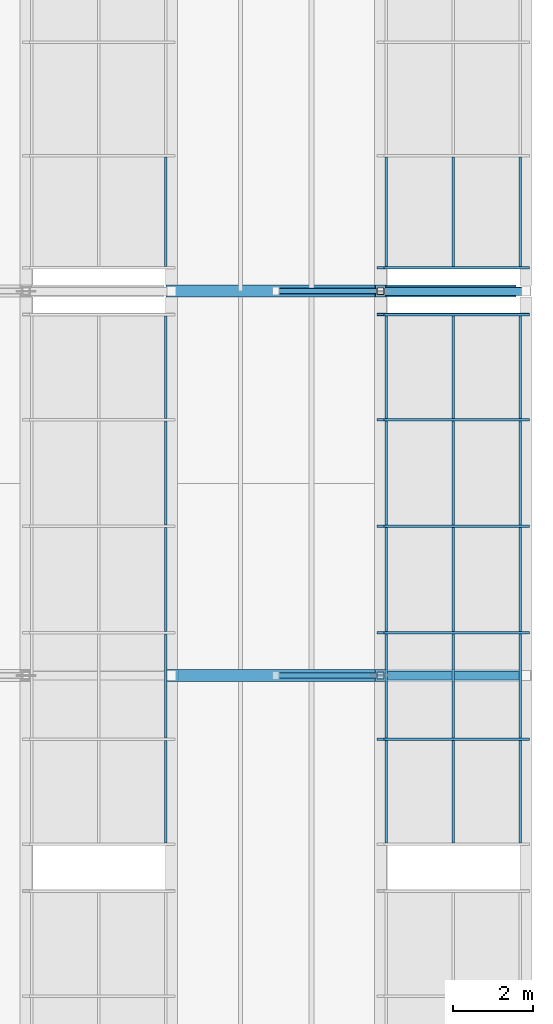
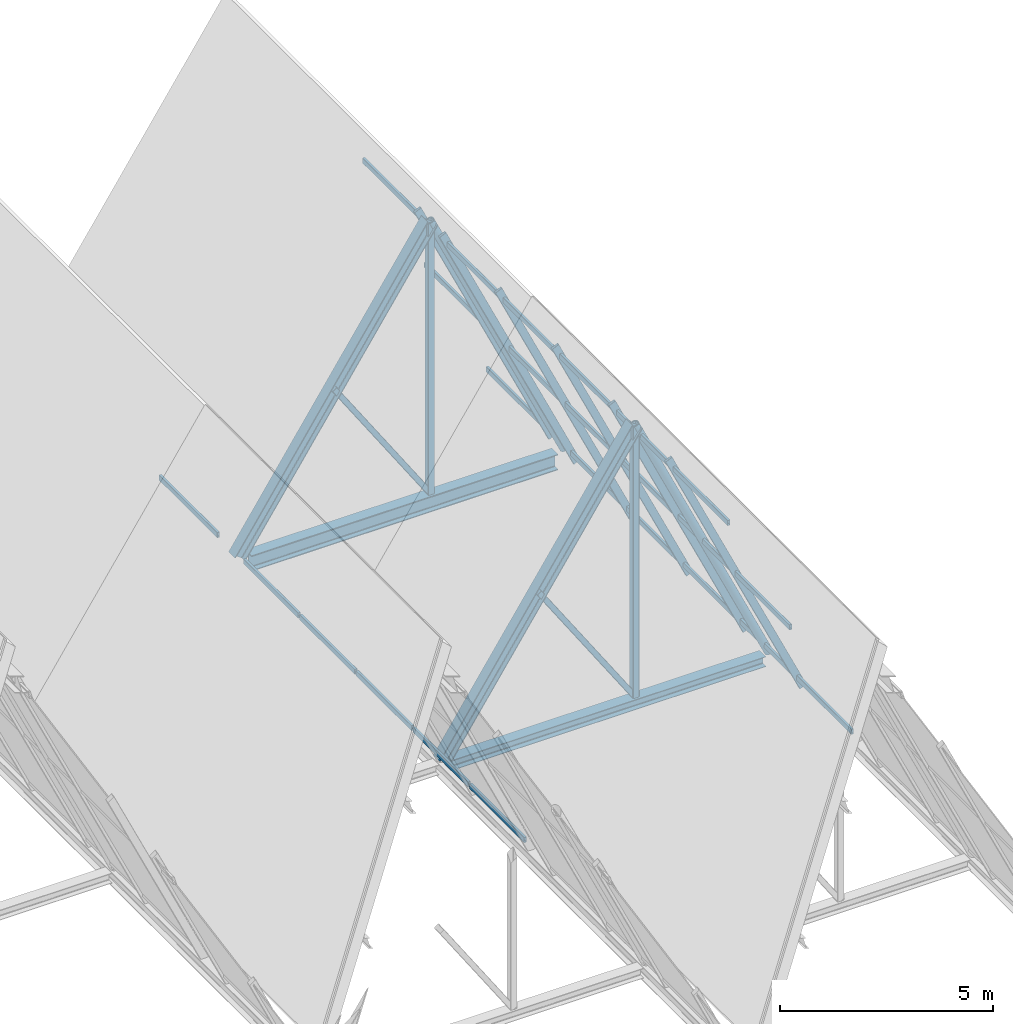
# One storey, part 57 of 99: 39 members, 1 beam, 4 elements without a shape of their own.
"""IFC4 building model written with IfcOpenShell, lengths in metres."""

from ifc_helpers import new_model, si_unit, direction, frame, origin, origin_2d, place, context, subcontext, project, spatial, hollow_rectangle, hollow_circle, i_section, extrude, material, material_profile, profile_set, type_object, element, aggregate, save


model = new_model("IFC4")

# Units and contexts
model_context = context("Model", 3, precision=1e-05, world=origin(), true_north=direction((0.0, 1.0)))
body_context = subcontext(model_context, "Body", "Model", "MODEL_VIEW")
ifc_project = project(units=[si_unit("LENGTHUNIT", "METRE"), si_unit("AREAUNIT", "SQUARE_METRE"), si_unit("VOLUMEUNIT", "CUBIC_METRE"), si_unit("PLANEANGLEUNIT", "RADIAN"), si_unit("MASSUNIT", "GRAM", prefix="KILO")], contexts=[model_context])

# Site, building, storey
site_placement = place(None, origin())
site = spatial("IfcSite", under=ifc_project, at=site_placement, CompositionType="ELEMENT")
building_placement = place(site_placement, origin())
building = spatial("IfcBuilding", under=site, at=building_placement, Name="Bramveld Media Centre", CompositionType="ELEMENT")
storey_placement = place(building_placement, frame((0.0, 0.0, 13.800048828125)))
storey = spatial("IfcBuildingStorey", under=building, at=storey_placement, Name="L03", CompositionType="ELEMENT", Elevation=13.800048828125)

# Curtain wall, members
ifc_material_1 = material(Name="Thermally broken anodized bronze aluminium unitized curtain wall with solar-control triple glazing", Category="aluminium")
curtain_wall_type_1 = type_object("IfcCurtainWallType", Name="CW-SAW-13300x8606", PredefinedType="NOTDEFINED", material=ifc_material_1)
curtain_wall_1_placement = place(storey_placement, origin())
curtain_wall_1 = element("IfcCurtainWall", 1, at=curtain_wall_1_placement, inside=storey, type_object=curtain_wall_type_1, Name="V1 sawtooth north-light clerestory B7-S2", PredefinedType="NOTDEFINED")
ifc_material_2 = material(Name="Thermally broken anodized bronze aluminium EN AW-6063 T6 curtain-wall framing", Category="aluminium")
ifc_material_profile_1 = material_profile(ifc_material_2, hollow_rectangle(XDim=0.070068359375, YDim=0.199951171875, WallThickness=0.00439453125, InnerFilletRadius=0.00439453125, OuterFilletRadius=0.009033203125, at=origin_2d()), Name="AL-MULL 70x200")
ifc_profile_set_1 = profile_set([ifc_material_profile_1], Name="Thermally broken anodized bronze aluminium EN AW-6063 T6 curtain-wall framing")
member_type_1 = type_object("IfcMemberType", Name="CW-MULL-SLP", PredefinedType="MULLION", material=ifc_profile_set_1)
member_1_placement = place(storey_placement, frame((186.0, 17.610107421875, -0.02001953125), z_axis=(-0.423956992265, 0.0, 0.90568232218), x_axis=(0.0, -1.0, 0.0)))
member_1 = element("IfcMember", 2, at=member_1_placement, type_object=member_type_1, Name="CW-SA-13386 sloped mullion 2", PredefinedType="MULLION", context=body_context, shape_type="SweptSolid", body=[
    extrude(hollow_rectangle(XDim=0.070068359375, YDim=0.199951171875, WallThickness=0.00439453125, InnerFilletRadius=0.00439453125, OuterFilletRadius=0.009033203125, at=origin_2d()), origin(), (0.0, 0.0, 1.0), 8.5791015625),
])
member_2_placement = place(storey_placement, frame((186.0, 20.27001953125, -0.02001953125), z_axis=(-0.423956992265, 0.0, 0.90568232218), x_axis=(0.0, -1.0, 0.0)))
member_2 = element("IfcMember", 3, at=member_2_placement, type_object=member_type_1, Name="CW-SA-13386 sloped mullion 3", PredefinedType="MULLION", context=body_context, shape_type="SweptSolid", body=[
    extrude(hollow_rectangle(XDim=0.070068359375, YDim=0.199951171875, WallThickness=0.00439453125, InnerFilletRadius=0.00439453125, OuterFilletRadius=0.009033203125, at=origin_2d()), origin(), (0.0, 0.0, 1.0), 8.5791015625),
])
member_3_placement = place(storey_placement, frame((186.0, 22.929931640625, -0.02001953125), z_axis=(-0.423956992265, 0.0, 0.90568232218), x_axis=(0.0, -1.0, 0.0)))
member_3 = element("IfcMember", 4, at=member_3_placement, type_object=member_type_1, Name="CW-SA-13386 sloped mullion 4", PredefinedType="MULLION", context=body_context, shape_type="SweptSolid", body=[
    extrude(hollow_rectangle(XDim=0.070068359375, YDim=0.199951171875, WallThickness=0.00439453125, InnerFilletRadius=0.00439453125, OuterFilletRadius=0.009033203125, at=origin_2d()), origin(), (0.0, 0.0, 1.0), 8.5791015625),
])
member_4_placement = place(storey_placement, frame((186.0, 25.590087890625, -0.02001953125), z_axis=(-0.423956992265, 0.0, 0.90568232218), x_axis=(0.0, -1.0, 0.0)))
member_4 = element("IfcMember", 5, at=member_4_placement, type_object=member_type_1, Name="CW-SA-13386 sloped mullion 5", PredefinedType="MULLION", context=body_context, shape_type="SweptSolid", body=[
    extrude(hollow_rectangle(XDim=0.070068359375, YDim=0.199951171875, WallThickness=0.00439453125, InnerFilletRadius=0.00439453125, OuterFilletRadius=0.009033203125, at=origin_2d()), origin(), (0.0, 0.0, 1.0), 8.5791015625),
])
member_5_placement = place(storey_placement, frame((186.0, 28.215087890625, -0.02001953125), z_axis=(-0.423956992265, 0.0, 0.90568232218), x_axis=(0.0, -1.0, 0.0)))
member_5 = element("IfcMember", 6, at=member_5_placement, type_object=member_type_1, Name="CW-SA-13386 sloped mullion 6", PredefinedType="MULLION", context=body_context, shape_type="SweptSolid", body=[
    extrude(hollow_rectangle(XDim=0.070068359375, YDim=0.199951171875, WallThickness=0.00439453125, InnerFilletRadius=0.00439453125, OuterFilletRadius=0.009033203125, at=origin_2d()), origin(), (0.0, 0.0, 1.0), 8.5791015625),
])

# Curtain wall, member
ifc_material_3 = material(Name="Thermally broken anodized bronze aluminium unitized curtain wall with solar-control triple glazing", Category="aluminium")
curtain_wall_type_2 = type_object("IfcCurtainWallType", Name="CW-SAW-8500x8606", PredefinedType="NOTDEFINED", material=ifc_material_3)
curtain_wall_2_placement = place(storey_placement, origin())
curtain_wall_2 = element("IfcCurtainWall", 7, at=curtain_wall_2_placement, inside=storey, type_object=curtain_wall_type_2, Name="V1 sawtooth north-light clerestory B7-S3", PredefinedType="NOTDEFINED")
member_6_placement = place(storey_placement, frame((186.0, 29.385009765625, -0.02001953125), z_axis=(-0.423956992265, 0.0, 0.90568232218), x_axis=(0.0, -1.0, 0.0)))
member_6 = element("IfcMember", 8, at=member_6_placement, type_object=member_type_1, Name="CW-SA-8586 sloped mullion 1", PredefinedType="MULLION", context=body_context, shape_type="SweptSolid", body=[
    extrude(hollow_rectangle(XDim=0.070068359375, YDim=0.199951171875, WallThickness=0.00439453125, InnerFilletRadius=0.00439453125, OuterFilletRadius=0.009033203125, at=origin_2d()), origin(), (0.0, 0.0, 1.0), 8.5791015625),
])

# Curtain wall, members
curtain_wall_3_placement = place(storey_placement, origin())
curtain_wall_3 = element("IfcCurtainWall", 9, at=curtain_wall_3_placement, inside=storey, type_object=curtain_wall_type_1, Name="V1 sawtooth north-light clerestory B6-S2", PredefinedType="NOTDEFINED")
ifc_material_4 = material(Name="Thermally broken anodized bronze aluminium EN AW-6063 T6 curtain-wall framing", Category="aluminium")
ifc_material_profile_2 = material_profile(ifc_material_4, hollow_rectangle(XDim=0.070068359375, YDim=0.14990234375, WallThickness=0.00390625, InnerFilletRadius=0.00390625, OuterFilletRadius=0.008056640625, at=origin_2d()), Name="AL-TRAN 70x150")
ifc_profile_set_2 = profile_set([ifc_material_profile_2], Name="Thermally broken anodized bronze aluminium EN AW-6063 T6 curtain-wall framing")
member_type_2 = type_object("IfcMemberType", Name="CW-TRAN-SLP", PredefinedType="USERDEFINED", material=ifc_profile_set_2)
member_7_placement = place(storey_placement, frame((176.997314453125, 15.02001953125, 0.290771484375), z_axis=(0.0, 1.0, 0.0), x_axis=(-1.0, 0.0, 0.0)))
member_7 = element("IfcMember", 10, at=member_7_placement, type_object=member_type_2, Name="CW-SA-13386 transom 1.1", ObjectType="TRANSOM", PredefinedType="USERDEFINED", context=body_context, shape_type="SweptSolid", body=[
    extrude(hollow_rectangle(XDim=0.070068359375, YDim=0.14990234375, WallThickness=0.00390625, InnerFilletRadius=0.00390625, OuterFilletRadius=0.008056640625, at=origin_2d()), origin(), (0.0, 0.0, 1.0), 2.554931640625),
])
member_8_placement = place(storey_placement, frame((176.997314453125, 17.64501953125, 0.290771484375), z_axis=(0.0, 1.0, 0.0), x_axis=(-1.0, 0.0, 0.0)))
member_8 = element("IfcMember", 11, at=member_8_placement, type_object=member_type_2, Name="CW-SA-13386 transom 2.1", ObjectType="TRANSOM", PredefinedType="USERDEFINED", context=body_context, shape_type="SweptSolid", body=[
    extrude(hollow_rectangle(XDim=0.070068359375, YDim=0.14990234375, WallThickness=0.00390625, InnerFilletRadius=0.00390625, OuterFilletRadius=0.008056640625, at=origin_2d()), origin(), (0.0, 0.0, 1.0), 2.590087890625),
])
member_9_placement = place(storey_placement, frame((176.997314453125, 20.304931640625, 0.290771484375), z_axis=(0.0, 1.0, 0.0), x_axis=(-1.0, 0.0, 0.0)))
member_9 = element("IfcMember", 12, at=member_9_placement, type_object=member_type_2, Name="CW-SA-13386 transom 3.1", ObjectType="TRANSOM", PredefinedType="USERDEFINED", context=body_context, shape_type="SweptSolid", body=[
    extrude(hollow_rectangle(XDim=0.070068359375, YDim=0.14990234375, WallThickness=0.00390625, InnerFilletRadius=0.00390625, OuterFilletRadius=0.008056640625, at=origin_2d()), origin(), (0.0, 0.0, 1.0), 2.590087890625),
])
member_10_placement = place(storey_placement, frame((176.997314453125, 22.965087890625, 0.290771484375), z_axis=(0.0, 1.0, 0.0), x_axis=(-1.0, 0.0, 0.0)))
member_10 = element("IfcMember", 13, at=member_10_placement, type_object=member_type_2, Name="CW-SA-13386 transom 4.1", ObjectType="TRANSOM", PredefinedType="USERDEFINED", context=body_context, shape_type="SweptSolid", body=[
    extrude(hollow_rectangle(XDim=0.070068359375, YDim=0.14990234375, WallThickness=0.00390625, InnerFilletRadius=0.00390625, OuterFilletRadius=0.008056640625, at=origin_2d()), origin(), (0.0, 0.0, 1.0), 2.58984375),
])
member_11_placement = place(storey_placement, frame((176.997314453125, 25.625, 0.290771484375), z_axis=(0.0, 1.0, 0.0), x_axis=(-1.0, 0.0, 0.0)))
member_11 = element("IfcMember", 14, at=member_11_placement, type_object=member_type_2, Name="CW-SA-13386 transom 5.1", ObjectType="TRANSOM", PredefinedType="USERDEFINED", context=body_context, shape_type="SweptSolid", body=[
    extrude(hollow_rectangle(XDim=0.070068359375, YDim=0.14990234375, WallThickness=0.00390625, InnerFilletRadius=0.00390625, OuterFilletRadius=0.008056640625, at=origin_2d()), origin(), (0.0, 0.0, 1.0), 2.554931640625),
])
aggregate(curtain_wall_3, [member_7, member_8, member_9, member_10, member_11])

# Curtain wall, member
curtain_wall_4_placement = place(storey_placement, origin())
curtain_wall_4 = element("IfcCurtainWall", 15, at=curtain_wall_4_placement, inside=storey, type_object=curtain_wall_type_2, Name="V1 sawtooth north-light clerestory B6-S3", PredefinedType="NOTDEFINED")
member_12_placement = place(storey_placement, frame((176.997314453125, 29.419921875, 0.290771484375), z_axis=(0.0, 1.0, 0.0), x_axis=(-1.0, 0.0, 0.0)))
member_12 = element("IfcMember", 16, at=member_12_placement, type_object=member_type_2, Name="CW-SA-8586 transom 1.1", ObjectType="TRANSOM", PredefinedType="USERDEFINED", context=body_context, shape_type="SweptSolid", body=[
    extrude(hollow_rectangle(XDim=0.070068359375, YDim=0.14990234375, WallThickness=0.00390625, InnerFilletRadius=0.00390625, OuterFilletRadius=0.008056640625, at=origin_2d()), origin(), (0.0, 0.0, 1.0), 2.728271484375),
])
aggregate(curtain_wall_4, [member_12])

# Member
member_13_placement = place(storey_placement, frame((185.8544921875, 15.02001953125, 0.290771484375), z_axis=(0.0, 1.0, 0.0), x_axis=(-1.0, 0.0, 0.0)))
member_13 = element("IfcMember", 17, at=member_13_placement, type_object=member_type_2, Name="CW-SA-13386 transom 1.1", ObjectType="TRANSOM", PredefinedType="USERDEFINED", context=body_context, shape_type="SweptSolid", body=[
    extrude(hollow_rectangle(XDim=0.070068359375, YDim=0.14990234375, WallThickness=0.00390625, InnerFilletRadius=0.00390625, OuterFilletRadius=0.008056640625, at=origin_2d()), origin(), (0.0, 0.0, 1.0), 2.554931640625),
])

member_14_placement = place(storey_placement, frame((184.181396484375, 15.02001953125, 3.864990234375), z_axis=(0.0, 1.0, 0.0), x_axis=(-1.0, 0.0, 0.0)))
member_14 = element("IfcMember", 18, at=member_14_placement, type_object=member_type_2, Name="CW-SA-13386 transom 1.2", ObjectType="TRANSOM", PredefinedType="USERDEFINED", context=body_context, shape_type="SweptSolid", body=[
    extrude(hollow_rectangle(XDim=0.070068359375, YDim=0.14990234375, WallThickness=0.00390625, InnerFilletRadius=0.00390625, OuterFilletRadius=0.008056640625, at=origin_2d()), origin(), (0.0, 0.0, 1.0), 2.554931640625),
])

member_15_placement = place(storey_placement, frame((182.50830078125, 15.02001953125, 7.439208984375), z_axis=(0.0, 1.0, 0.0), x_axis=(-1.0, 0.0, 0.0)))
member_15 = element("IfcMember", 19, at=member_15_placement, type_object=member_type_2, Name="CW-SA-13386 transom 1.3", ObjectType="TRANSOM", PredefinedType="USERDEFINED", context=body_context, shape_type="SweptSolid", body=[
    extrude(hollow_rectangle(XDim=0.070068359375, YDim=0.14990234375, WallThickness=0.00390625, InnerFilletRadius=0.00390625, OuterFilletRadius=0.008056640625, at=origin_2d()), origin(), (0.0, 0.0, 1.0), 2.554931640625),
])

member_16_placement = place(storey_placement, frame((185.8544921875, 17.64501953125, 0.290771484375), z_axis=(0.0, 1.0, 0.0), x_axis=(-1.0, 0.0, 0.0)))
member_16 = element("IfcMember", 20, at=member_16_placement, type_object=member_type_2, Name="CW-SA-13386 transom 2.1", ObjectType="TRANSOM", PredefinedType="USERDEFINED", context=body_context, shape_type="SweptSolid", body=[
    extrude(hollow_rectangle(XDim=0.070068359375, YDim=0.14990234375, WallThickness=0.00390625, InnerFilletRadius=0.00390625, OuterFilletRadius=0.008056640625, at=origin_2d()), origin(), (0.0, 0.0, 1.0), 2.590087890625),
])

member_17_placement = place(storey_placement, frame((184.181396484375, 17.64501953125, 3.864990234375), z_axis=(0.0, 1.0, 0.0), x_axis=(-1.0, 0.0, 0.0)))
member_17 = element("IfcMember", 21, at=member_17_placement, type_object=member_type_2, Name="CW-SA-13386 transom 2.2", ObjectType="TRANSOM", PredefinedType="USERDEFINED", context=body_context, shape_type="SweptSolid", body=[
    extrude(hollow_rectangle(XDim=0.070068359375, YDim=0.14990234375, WallThickness=0.00390625, InnerFilletRadius=0.00390625, OuterFilletRadius=0.008056640625, at=origin_2d()), origin(), (0.0, 0.0, 1.0), 2.590087890625),
])

member_18_placement = place(storey_placement, frame((182.50830078125, 17.64501953125, 7.439208984375), z_axis=(0.0, 1.0, 0.0), x_axis=(-1.0, 0.0, 0.0)))
member_18 = element("IfcMember", 22, at=member_18_placement, type_object=member_type_2, Name="CW-SA-13386 transom 2.3", ObjectType="TRANSOM", PredefinedType="USERDEFINED", context=body_context, shape_type="SweptSolid", body=[
    extrude(hollow_rectangle(XDim=0.070068359375, YDim=0.14990234375, WallThickness=0.00390625, InnerFilletRadius=0.00390625, OuterFilletRadius=0.008056640625, at=origin_2d()), origin(), (0.0, 0.0, 1.0), 2.590087890625),
])

member_19_placement = place(storey_placement, frame((185.8544921875, 20.304931640625, 0.290771484375), z_axis=(0.0, 1.0, 0.0), x_axis=(-1.0, 0.0, 0.0)))
member_19 = element("IfcMember", 23, at=member_19_placement, type_object=member_type_2, Name="CW-SA-13386 transom 3.1", ObjectType="TRANSOM", PredefinedType="USERDEFINED", context=body_context, shape_type="SweptSolid", body=[
    extrude(hollow_rectangle(XDim=0.070068359375, YDim=0.14990234375, WallThickness=0.00390625, InnerFilletRadius=0.00390625, OuterFilletRadius=0.008056640625, at=origin_2d()), origin(), (0.0, 0.0, 1.0), 2.590087890625),
])

member_20_placement = place(storey_placement, frame((184.181396484375, 20.304931640625, 3.864990234375), z_axis=(0.0, 1.0, 0.0), x_axis=(-1.0, 0.0, 0.0)))
member_20 = element("IfcMember", 24, at=member_20_placement, type_object=member_type_2, Name="CW-SA-13386 transom 3.2", ObjectType="TRANSOM", PredefinedType="USERDEFINED", context=body_context, shape_type="SweptSolid", body=[
    extrude(hollow_rectangle(XDim=0.070068359375, YDim=0.14990234375, WallThickness=0.00390625, InnerFilletRadius=0.00390625, OuterFilletRadius=0.008056640625, at=origin_2d()), origin(), (0.0, 0.0, 1.0), 2.590087890625),
])

member_21_placement = place(storey_placement, frame((182.50830078125, 20.304931640625, 7.439208984375), z_axis=(0.0, 1.0, 0.0), x_axis=(-1.0, 0.0, 0.0)))
member_21 = element("IfcMember", 25, at=member_21_placement, type_object=member_type_2, Name="CW-SA-13386 transom 3.3", ObjectType="TRANSOM", PredefinedType="USERDEFINED", context=body_context, shape_type="SweptSolid", body=[
    extrude(hollow_rectangle(XDim=0.070068359375, YDim=0.14990234375, WallThickness=0.00390625, InnerFilletRadius=0.00390625, OuterFilletRadius=0.008056640625, at=origin_2d()), origin(), (0.0, 0.0, 1.0), 2.590087890625),
])

member_22_placement = place(storey_placement, frame((185.8544921875, 22.965087890625, 0.290771484375), z_axis=(0.0, 1.0, 0.0), x_axis=(-1.0, 0.0, 0.0)))
member_22 = element("IfcMember", 26, at=member_22_placement, type_object=member_type_2, Name="CW-SA-13386 transom 4.1", ObjectType="TRANSOM", PredefinedType="USERDEFINED", context=body_context, shape_type="SweptSolid", body=[
    extrude(hollow_rectangle(XDim=0.070068359375, YDim=0.14990234375, WallThickness=0.00390625, InnerFilletRadius=0.00390625, OuterFilletRadius=0.008056640625, at=origin_2d()), origin(), (0.0, 0.0, 1.0), 2.58984375),
])

member_23_placement = place(storey_placement, frame((184.181396484375, 22.965087890625, 3.864990234375), z_axis=(0.0, 1.0, 0.0), x_axis=(-1.0, 0.0, 0.0)))
member_23 = element("IfcMember", 27, at=member_23_placement, type_object=member_type_2, Name="CW-SA-13386 transom 4.2", ObjectType="TRANSOM", PredefinedType="USERDEFINED", context=body_context, shape_type="SweptSolid", body=[
    extrude(hollow_rectangle(XDim=0.070068359375, YDim=0.14990234375, WallThickness=0.00390625, InnerFilletRadius=0.00390625, OuterFilletRadius=0.008056640625, at=origin_2d()), origin(), (0.0, 0.0, 1.0), 2.58984375),
])

member_24_placement = place(storey_placement, frame((182.50830078125, 22.965087890625, 7.439208984375), z_axis=(0.0, 1.0, 0.0), x_axis=(-1.0, 0.0, 0.0)))
member_24 = element("IfcMember", 28, at=member_24_placement, type_object=member_type_2, Name="CW-SA-13386 transom 4.3", ObjectType="TRANSOM", PredefinedType="USERDEFINED", context=body_context, shape_type="SweptSolid", body=[
    extrude(hollow_rectangle(XDim=0.070068359375, YDim=0.14990234375, WallThickness=0.00390625, InnerFilletRadius=0.00390625, OuterFilletRadius=0.008056640625, at=origin_2d()), origin(), (0.0, 0.0, 1.0), 2.58984375),
])

member_25_placement = place(storey_placement, frame((185.8544921875, 25.625, 0.290771484375), z_axis=(0.0, 1.0, 0.0), x_axis=(-1.0, 0.0, 0.0)))
member_25 = element("IfcMember", 29, at=member_25_placement, type_object=member_type_2, Name="CW-SA-13386 transom 5.1", ObjectType="TRANSOM", PredefinedType="USERDEFINED", context=body_context, shape_type="SweptSolid", body=[
    extrude(hollow_rectangle(XDim=0.070068359375, YDim=0.14990234375, WallThickness=0.00390625, InnerFilletRadius=0.00390625, OuterFilletRadius=0.008056640625, at=origin_2d()), origin(), (0.0, 0.0, 1.0), 2.554931640625),
])

member_26_placement = place(storey_placement, frame((184.181396484375, 25.625, 3.864990234375), z_axis=(0.0, 1.0, 0.0), x_axis=(-1.0, 0.0, 0.0)))
member_26 = element("IfcMember", 30, at=member_26_placement, type_object=member_type_2, Name="CW-SA-13386 transom 5.2", ObjectType="TRANSOM", PredefinedType="USERDEFINED", context=body_context, shape_type="SweptSolid", body=[
    extrude(hollow_rectangle(XDim=0.070068359375, YDim=0.14990234375, WallThickness=0.00390625, InnerFilletRadius=0.00390625, OuterFilletRadius=0.008056640625, at=origin_2d()), origin(), (0.0, 0.0, 1.0), 2.554931640625),
])

member_27_placement = place(storey_placement, frame((182.50830078125, 25.625, 7.439208984375), z_axis=(0.0, 1.0, 0.0), x_axis=(-1.0, 0.0, 0.0)))
member_27 = element("IfcMember", 31, at=member_27_placement, type_object=member_type_2, Name="CW-SA-13386 transom 5.3", ObjectType="TRANSOM", PredefinedType="USERDEFINED", context=body_context, shape_type="SweptSolid", body=[
    extrude(hollow_rectangle(XDim=0.070068359375, YDim=0.14990234375, WallThickness=0.00390625, InnerFilletRadius=0.00390625, OuterFilletRadius=0.008056640625, at=origin_2d()), origin(), (0.0, 0.0, 1.0), 2.554931640625),
])

aggregate(curtain_wall_1, [member_1, member_2, member_3, member_4, member_5, member_13, member_14, member_15, member_16, member_17, member_18, member_19, member_20, member_21, member_22, member_23, member_24, member_25, member_26, member_27])

member_28_placement = place(storey_placement, frame((185.8544921875, 29.419921875, 0.290771484375), z_axis=(0.0, 1.0, 0.0), x_axis=(-1.0, 0.0, 0.0)))
member_28 = element("IfcMember", 32, at=member_28_placement, type_object=member_type_2, Name="CW-SA-8586 transom 1.1", ObjectType="TRANSOM", PredefinedType="USERDEFINED", context=body_context, shape_type="SweptSolid", body=[
    extrude(hollow_rectangle(XDim=0.070068359375, YDim=0.14990234375, WallThickness=0.00390625, InnerFilletRadius=0.00390625, OuterFilletRadius=0.008056640625, at=origin_2d()), origin(), (0.0, 0.0, 1.0), 2.728271484375),
])

member_29_placement = place(storey_placement, frame((184.181396484375, 29.419921875, 3.864990234375), z_axis=(0.0, 1.0, 0.0), x_axis=(-1.0, 0.0, 0.0)))
member_29 = element("IfcMember", 33, at=member_29_placement, type_object=member_type_2, Name="CW-SA-8586 transom 1.2", ObjectType="TRANSOM", PredefinedType="USERDEFINED", context=body_context, shape_type="SweptSolid", body=[
    extrude(hollow_rectangle(XDim=0.070068359375, YDim=0.14990234375, WallThickness=0.00390625, InnerFilletRadius=0.00390625, OuterFilletRadius=0.008056640625, at=origin_2d()), origin(), (0.0, 0.0, 1.0), 2.728271484375),
])

member_30_placement = place(storey_placement, frame((182.50830078125, 29.419921875, 7.439208984375), z_axis=(0.0, 1.0, 0.0), x_axis=(-1.0, 0.0, 0.0)))
member_30 = element("IfcMember", 34, at=member_30_placement, type_object=member_type_2, Name="CW-SA-8586 transom 1.3", ObjectType="TRANSOM", PredefinedType="USERDEFINED", context=body_context, shape_type="SweptSolid", body=[
    extrude(hollow_rectangle(XDim=0.070068359375, YDim=0.14990234375, WallThickness=0.00390625, InnerFilletRadius=0.00390625, OuterFilletRadius=0.008056640625, at=origin_2d()), origin(), (0.0, 0.0, 1.0), 2.728271484375),
])

aggregate(curtain_wall_2, [member_6, member_28, member_29, member_30])

# Members
ifc_material_5 = material(Name="Steel S355J2H", Category="steel")
ifc_material_profile_3 = material_profile(ifc_material_5, hollow_circle(Radius=0.109619140625, WallThickness=0.012451171875, at=origin_2d()), Name="CHS 219.1x12.5")
ifc_profile_set_3 = profile_set([ifc_material_profile_3], Name="Steel S355J2H")
member_type_3 = type_object("IfcMemberType", Name="MEM-BRACE-CHS219", PredefinedType="BRACE", material=ifc_profile_set_3)
for number, where, z_axis, x_axis, name in (
    (35, (186.0, 19.199951171875, 0.0), (-0.422616785161, 0.0, 0.906308475575), (0.0, -1.0, 0.0), "TRUSS-V1-B07-F3 north-light strut"),
    (36, (186.0, 28.800048828125, 0.0), (-0.422616785161, 0.0, 0.906308475575), (0.0, -1.0, 0.0), "TRUSS-V1-B07-F4 north-light strut"),
):
    element("IfcMember", number, at=place(storey_placement, frame(where, z_axis=z_axis, x_axis=x_axis)), inside=storey, type_object=member_type_3, Name=name, PredefinedType="BRACE", context=body_context, shape_type="SweptSolid", body=[
        extrude(hollow_circle(Radius=0.109619140625, WallThickness=0.012451171875, at=origin_2d()), origin(), (0.0, 0.0, 1.0), 8.6064453125),
    ])
ifc_material_6 = material(Name="Steel S355J2H", Category="steel")
ifc_material_profile_4 = material_profile(ifc_material_6, hollow_rectangle(XDim=0.14990234375, YDim=0.14990234375, WallThickness=0.010009765625, InnerFilletRadius=0.010009765625, OuterFilletRadius=0.02001953125, at=origin_2d()), Name="SHS 150x150x10")
ifc_profile_set_4 = profile_set([ifc_material_profile_4], Name="Steel S355J2H")
member_type_4 = type_object("IfcMemberType", Name="MEM-BRACE-SHS150", PredefinedType="BRACE", material=ifc_profile_set_4)
for number, where, z_axis, x_axis, name in (
    (37, (182.36279296875, 19.199951171875, 0.0), (-0.556200017124, 0.0, 0.831048458847), (0.0, -1.0, 0.0), "TRUSS-V1-B07-F3 web diagonal"),
    (38, (182.36279296875, 28.800048828125, 0.0), (-0.556200017124, 0.0, 0.831048458847), (0.0, -1.0, 0.0), "TRUSS-V1-B07-F4 web diagonal"),
):
    element("IfcMember", number, at=place(storey_placement, frame(where, z_axis=z_axis, x_axis=x_axis)), inside=storey, type_object=member_type_4, Name=name, PredefinedType="BRACE", context=body_context, shape_type="SweptSolid", body=[
        extrude(hollow_rectangle(XDim=0.14990234375, YDim=0.14990234375, WallThickness=0.010009765625, InnerFilletRadius=0.010009765625, OuterFilletRadius=0.02001953125, at=origin_2d()), origin(), (0.0, 0.0, 1.0), 4.69287109375),
    ])
ifc_material_7 = material(Name="Steel S355J2", Category="steel")
ifc_material_profile_5 = material_profile(ifc_material_7, i_section(OverallWidth=0.300048828125, OverallDepth=0.2900390625, WebThickness=0.008544921875, FlangeThickness=0.013916015625, FilletRadius=0.027099609375, at=origin_2d()), Name="HEA 300")
ifc_profile_set_5 = profile_set([ifc_material_profile_5], Name="Steel S355J2")
member_type_5 = type_object("IfcMemberType", Name="MEM-CHORD-HEA300", PredefinedType="CHORD", material=ifc_profile_set_5)
member_31_placement = place(storey_placement, frame((177.302978515625, 19.199951171875, -0.14501953125), z_axis=(1.0, 0.0, 0.0), x_axis=(0.0, 1.0, 0.0)))
element("IfcMember", 39, at=member_31_placement, inside=storey, type_object=member_type_5, Name="TRUSS-V1-B07-F3 bottom tie chord", PredefinedType="CHORD", context=body_context, shape_type="SweptSolid", body=[
    extrude(i_section(OverallWidth=0.300048828125, OverallDepth=0.2900390625, WebThickness=0.008544921875, FlangeThickness=0.013916015625, FilletRadius=0.027099609375, at=origin_2d()), origin(), (0.0, 0.0, 1.0), 8.537109375),
])
ifc_material_8 = material(Name="Steel S355J2", Category="steel")
ifc_material_profile_6 = material_profile(ifc_material_8, i_section(OverallWidth=0.300048828125, OverallDepth=0.340087890625, WebThickness=0.011962890625, FlangeThickness=0.021484375, FilletRadius=0.027099609375, at=origin_2d()), Name="HEB 340")
ifc_profile_set_6 = profile_set([ifc_material_profile_6], Name="Steel S355J2")
member_type_6 = type_object("IfcMemberType", Name="MEM-CHORD-HEB340", PredefinedType="CHORD", material=ifc_profile_set_6)
for number, where, z_axis, x_axis, name in (
    (40, (177.142822265625, 19.199951171875, 0.0), (0.556170027887, 0.0, 0.831068529112), (0.0, 1.0, 0.0), "TRUSS-V1-B07-F3 top rafter chord"),
    (41, (177.142822265625, 28.800048828125, 0.0), (0.556170027887, 0.0, 0.831068529112), (0.0, 1.0, 0.0), "TRUSS-V1-B07-F4 top rafter chord"),
):
    element("IfcMember", number, at=place(storey_placement, frame(where, z_axis=z_axis, x_axis=x_axis)), inside=storey, type_object=member_type_6, Name=name, PredefinedType="CHORD", context=body_context, shape_type="SweptSolid", body=[
        extrude(i_section(OverallWidth=0.300048828125, OverallDepth=0.340087890625, WebThickness=0.011962890625, FlangeThickness=0.021484375, FilletRadius=0.027099609375, at=origin_2d()), origin(), (0.0, 0.0, 1.0), 9.385498046875),
    ])
ifc_material_9 = material(Name="Steel S355J2H", Category="steel")
ifc_material_profile_7 = material_profile(ifc_material_9, hollow_rectangle(XDim=0.179931640625, YDim=0.179931640625, WallThickness=0.010009765625, InnerFilletRadius=0.010009765625, OuterFilletRadius=0.02001953125, at=origin_2d()), Name="SHS 180x180x10")
ifc_profile_set_7 = profile_set([ifc_material_profile_7], Name="Steel S355J2H")
member_type_7 = type_object("IfcMemberType", Name="MEM-POST-SHS180", PredefinedType="POST", material=ifc_profile_set_7)
for number, where, z_axis, x_axis, name in (
    (42, (182.36279296875, 19.199951171875, 0.0), (0.0, 0.0, 1.0), (1.0, 0.0, 0.0), "TRUSS-V1-B07-F3 kingpost"),
    (43, (182.36279296875, 28.800048828125, 0.0), (0.0, 0.0, 1.0), (1.0, 0.0, 0.0), "TRUSS-V1-B07-F4 kingpost"),
):
    element("IfcMember", number, at=place(storey_placement, frame(where, z_axis=z_axis, x_axis=x_axis)), inside=storey, type_object=member_type_7, Name=name, PredefinedType="POST", context=body_context, shape_type="SweptSolid", body=[
        extrude(hollow_rectangle(XDim=0.179931640625, YDim=0.179931640625, WallThickness=0.010009765625, InnerFilletRadius=0.010009765625, OuterFilletRadius=0.02001953125, at=origin_2d()), origin(), (0.0, 0.0, 1.0), 7.800048828125),
    ])

# Beam
ifc_material_10 = material(Name="Steel S355J2", Category="steel")
ifc_material_profile_8 = material_profile(ifc_material_10, i_section(OverallWidth=0.300048828125, OverallDepth=0.449951171875, WebThickness=0.013916015625, FlangeThickness=0.02587890625, FilletRadius=0.027099609375, at=origin_2d()), Name="HEB 450")
ifc_profile_set_8 = profile_set([ifc_material_profile_8], Name="Steel S355J2")
beam_type = type_object("IfcBeamType", Name="SBM-INT-HEB-450", PredefinedType="BEAM", material=ifc_profile_set_8)
beam_placement = place(storey_placement, frame((177.449951171875, 28.800048828125, -0.22509765625), z_axis=(1.0, 0.0, 0.0), x_axis=(0.0, 1.0, 0.0)))
element("IfcBeam", 44, at=beam_placement, inside=storey, type_object=beam_type, Name="V1 sawtooth tie girder", PredefinedType="BEAM", context=body_context, shape_type="SweptSolid", body=[
    extrude(i_section(OverallWidth=0.300048828125, OverallDepth=0.449951171875, WebThickness=0.013916015625, FlangeThickness=0.02587890625, FilletRadius=0.027099609375, at=origin_2d()), origin(), (0.0, 0.0, 1.0), 8.300048828125),
])

save(model, "model.ifc")
